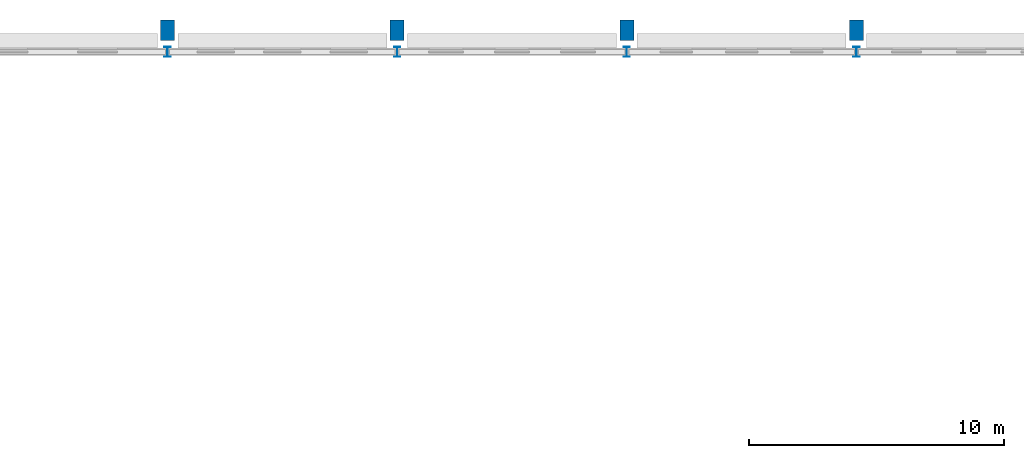
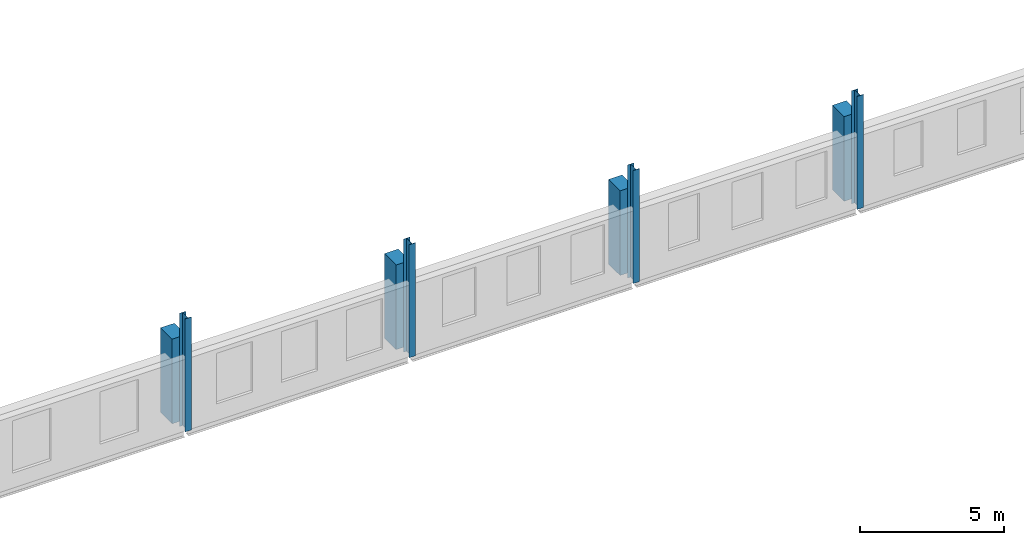
# One storey, part 25 of 132: 8 columns.
"""IFC4 building model written with IfcOpenShell, lengths in metres."""

from ifc_helpers import new_model, si_unit, direction, frame, origin, origin_2d, place, context, subcontext, project, spatial, rectangle, i_section, extrude, material, material_profile, profile_set, type_object, element, save


model = new_model("IFC4")

# Units and contexts
model_context = context("Model", 3, precision=1e-05, world=origin(), true_north=direction((0.0, 1.0)))
body_context = subcontext(model_context, "Body", "Model", "MODEL_VIEW")
ifc_project = project(units=[si_unit("LENGTHUNIT", "METRE"), si_unit("AREAUNIT", "SQUARE_METRE"), si_unit("VOLUMEUNIT", "CUBIC_METRE"), si_unit("PLANEANGLEUNIT", "RADIAN"), si_unit("MASSUNIT", "GRAM", prefix="KILO")], contexts=[model_context])

# Site, building, storey
site_placement = place(None, origin())
site = spatial("IfcSite", under=ifc_project, at=site_placement, CompositionType="ELEMENT")
building_placement = place(site_placement, origin())
building = spatial("IfcBuilding", under=site, at=building_placement, Name="Tharagai Park Tramway Depot", CompositionType="ELEMENT")
storey_placement = place(building_placement, frame((0.0, 0.0, 4.800048828125)))
storey = spatial("IfcBuildingStorey", under=building, at=storey_placement, Name="L01", CompositionType="ELEMENT", Elevation=4.800048828125)

# Columns
ifc_material_1 = material(Name="Steel E350", Category="steel")
ifc_material_profile_1 = material_profile(ifc_material_1, i_section(OverallWidth=0.25, OverallDepth=0.39990234375, WebThickness=0.010498046875, FlangeThickness=0.0126953125, FilletRadius=0.013916015625, at=origin_2d()), Name="ISHB 400")
ifc_profile_set_1 = profile_set([ifc_material_profile_1], Name="Steel E350")
column_type_1 = type_object("IfcColumnType", Name="CL-06", PredefinedType="COLUMN", material=ifc_profile_set_1)
for number, where, z_axis, x_axis, name in (
    (1, (108.0, 144.0, 0.0), (0.0, 0.0, 1.0), (1.0, 0.0, 0.0), "Shed Stanchion CL-06 (108,144)"),
    (2, (117.0, 144.0, 0.0), (0.0, 0.0, 1.0), (1.0, 0.0, 0.0), "Shed Stanchion CL-06 (117,144)"),
    (3, (126.0, 144.0, 0.0), (0.0, 0.0, 1.0), (1.0, 0.0, 0.0), "Shed Stanchion CL-06 (126,144)"),
    (4, (135.0, 144.0, 0.0), (0.0, 0.0, 1.0), (1.0, 0.0, 0.0), "Shed Stanchion CL-06 (135,144)"),
):
    element("IfcColumn", number, at=place(storey_placement, frame(where, z_axis=z_axis, x_axis=x_axis)), inside=storey, type_object=column_type_1, Name=name, PredefinedType="COLUMN", context=body_context, shape_type="SweptSolid", body=[
        extrude(i_section(OverallWidth=0.25, OverallDepth=0.39990234375, WebThickness=0.010498046875, FlangeThickness=0.0126953125, FilletRadius=0.013916015625, at=origin_2d()), origin(), (0.0, 0.0, 1.0), 4.800048828125),
    ])
ifc_material_2 = material(Name="Concrete M40", Category="concrete")
ifc_material_profile_2 = material_profile(ifc_material_2, rectangle(XDim=0.550048828125, YDim=0.800048828125, at=origin_2d()), Name="RC 550x800")
ifc_profile_set_2 = profile_set([ifc_material_profile_2], Name="Concrete M40")
column_type_2 = type_object("IfcColumnType", Name="PL-02", PredefinedType="PILASTER", material=ifc_profile_set_2)
for number, where, z_axis, x_axis, name in (
    (5, (108.0, 144.85009765625, 0.0), (0.0, 0.0, 1.0), (1.0, 0.0, 0.0), "L01 Stepped Gothic Buttress PL-02 N-108"),
    (6, (117.0, 144.85009765625, 0.0), (0.0, 0.0, 1.0), (1.0, 0.0, 0.0), "L01 Stepped Gothic Buttress PL-02 N-117"),
    (7, (126.0, 144.85009765625, 0.0), (0.0, 0.0, 1.0), (1.0, 0.0, 0.0), "L01 Stepped Gothic Buttress PL-02 N-126"),
    (8, (135.0, 144.85009765625, 0.0), (0.0, 0.0, 1.0), (1.0, 0.0, 0.0), "L01 Stepped Gothic Buttress PL-02 N-135"),
):
    element("IfcColumn", number, at=place(storey_placement, frame(where, z_axis=z_axis, x_axis=x_axis)), inside=storey, type_object=column_type_2, Name=name, PredefinedType="PILASTER", context=body_context, shape_type="SweptSolid", body=[
        extrude(rectangle(XDim=0.550048828125, YDim=0.800048828125, at=origin_2d()), origin(), (0.0, 0.0, 1.0), 3.599853515625),
    ])

save(model, "model.ifc")
